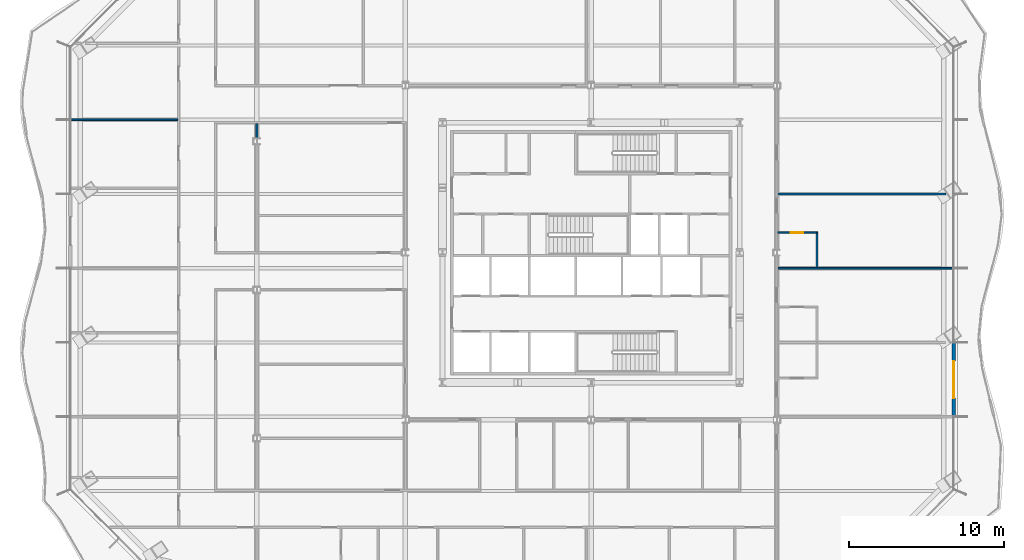
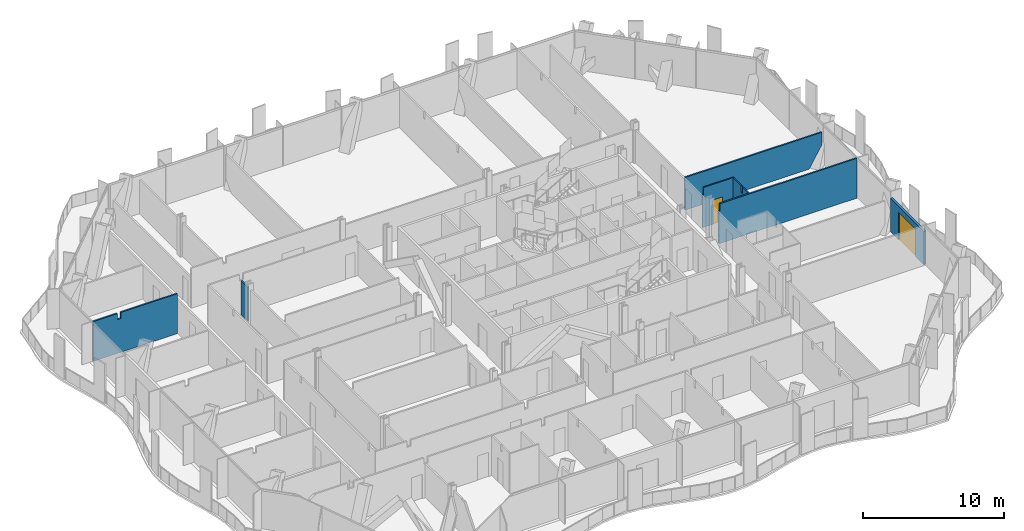
# One storey, part 10 of 19: 7 walls, 2 doors, 2 openings.
"""IFC4 building model written with IfcOpenShell, lengths in metres."""

from ifc_helpers import new_model, si_unit, direction, frame, frame_2d, origin, place, context, subcontext, project, spatial, polyline, rectangle, outline, extrude, material, layer, layer_set, type_object, element, fill, save


model = new_model("IFC4")

# Units and contexts
model_context = context("Model", 3, precision=1e-05, world=origin(), true_north=direction((0.0, 1.0)))
body_context = subcontext(model_context, "Body", "Model", "MODEL_VIEW")
ifc_project = project(units=[si_unit("LENGTHUNIT", "METRE"), si_unit("AREAUNIT", "SQUARE_METRE"), si_unit("VOLUMEUNIT", "CUBIC_METRE"), si_unit("PLANEANGLEUNIT", "RADIAN"), si_unit("MASSUNIT", "GRAM", prefix="KILO")], contexts=[model_context])

# Site, building, storey
site_placement = place(None, origin())
site = spatial("IfcSite", under=ifc_project, at=site_placement, CompositionType="ELEMENT")
building_placement = place(site_placement, origin())
building = spatial("IfcBuilding", under=site, at=building_placement, Name="Cairn Pilgrim Tower", CompositionType="ELEMENT")
storey_placement = place(building_placement, frame((0.0, 0.0, 97.800048828125)))
storey = spatial("IfcBuildingStorey", under=building, at=storey_placement, Name="L23", CompositionType="ELEMENT", Elevation=97.800048828125)

# Wall, opening, door
ifc_material_1 = material(Name="Bronze anodised aluminium insulated sandwich panel with mineral wool fill", Category="aluminium")
ifc_layer_1 = layer(ifc_material_1, 0.199951171875)
ifc_layer_set_1 = layer_set([ifc_layer_1], Name="BRONZE INFILL FRAME WALL 200")
wall_type_1 = type_object("IfcWallType", Name="BRONZE INFILL FRAME WALL 200", PredefinedType="NOTDEFINED", material=ifc_layer_set_1)
wall_1_placement = place(storey_placement, frame((30.636962890625, -8.1787109375, 0.0), z_axis=(0.0, 0.0, 1.0), x_axis=(0.0, 1.0, 0.0)))
wall_1 = element("IfcWall", 1, at=wall_1_placement, inside=storey, type_object=wall_type_1, Name="Bronze infill frame wall IW-E2", PredefinedType="NOTDEFINED", context=body_context, shape_type="SweptSolid", body=[
    extrude(rectangle(XDim=4.739990234375, YDim=0.199951171875, at=frame_2d((2.3701171875, 0.0))), origin(), (0.0, 0.0, 1.0), 2.89990234375),
])
opening_1_placement = place(wall_1_placement, frame((1.169677734375, 0.0, 0.0)))
opening_1 = element("IfcOpeningElement", 2, at=opening_1_placement, cuts=wall_1, Name="Opening 2324B", PredefinedType="OPENING", context=body_context, shape_type="SweptSolid", body=[
    extrude(rectangle(XDim=2.39990234375, YDim=2.39990234375, at=frame_2d((1.199951171875, 1.199951171875))), frame((0.0, 0.10986328125, 0.0), z_axis=(0.0, -1.0, 0.0), x_axis=(1.0, 0.0, 0.0)), (0.0, 0.0, 1.0), 0.219970703125),
])
ifc_material_2 = material(Name="Bronze anodised aluminium frame with tinted low-E glass", Category="aluminium")
door_type_1 = type_object("IfcDoorType", Name="BALCONY SLIDING DOOR 2400x2400", OperationType="DOUBLE_DOOR_SLIDING", PredefinedType="DOOR", material=ifc_material_2)
door_1_placement = place(opening_1_placement, origin())
door_1 = element("IfcDoor", 3, at=door_1_placement, inside=storey, type_object=door_type_1, Name="Balcony sliding door 2324B", OperationType="SINGLE_SWING_LEFT", OverallHeight=2.39990234375, OverallWidth=2.39990234375, PredefinedType="DOOR", context=body_context, shape_type="SweptSolid", body=[
    extrude(rectangle(XDim=2.39990234375, YDim=2.39990234375, at=frame_2d((1.199951171875, 1.199951171875))), frame((0.0, 0.02490234375, 0.0), z_axis=(0.0, -1.0, 0.0), x_axis=(1.0, 0.0, 0.0)), (0.0, 0.0, 1.0), 0.050048828125),
])
fill(opening_1, door_1)

# Wall
ifc_material_3 = material(Name="Gypsum partition")
ifc_layer_2 = layer(ifc_material_3, 0.10009765625)
ifc_layer_set_2 = layer_set([ifc_layer_2], Name="PARTITION 100 DRYWALL")
wall_type_2 = type_object("IfcWallType", Name="PARTITION 100 DRYWALL", PredefinedType="PARTITIONING", material=ifc_layer_set_2)
wall_2_placement = place(storey_placement, frame((21.800048828125, 1.45361328125, 0.0), z_axis=(0.0, 0.0, 1.0), x_axis=(0.0, 1.0, 0.0)))
element("IfcWall", 4, at=wall_2_placement, inside=storey, type_object=wall_type_2, Name="PARTITION W053", PredefinedType="PARTITIONING", context=body_context, shape_type="SweptSolid", body=[
    extrude(outline(polyline([(0.0, 0.0), (2.1875, 0.0), (2.1875, 3.449951171875), (1.051513671875, 3.449951171875), (1.049560546875, 2.8798828125), (0.841552734375, 2.8798828125), (0.839599609375, 3.449951171875), (0.0, 3.449951171875), (0.0, 0.0)])), frame((0.0, 0.050048828125, 0.0), z_axis=(0.0, -1.0, 0.0), x_axis=(1.0, 0.0, 0.0)), (0.0, 0.0, 1.0), 0.10009765625),
])

# Wall, opening, door
wall_3_placement = place(storey_placement, frame((19.262451171875, 3.69091796875, 0.0), z_axis=(0.0, 0.0, 1.0), x_axis=(1.0, 0.0, 0.0)))
wall_3 = element("IfcWall", 5, at=wall_3_placement, inside=storey, type_object=wall_type_2, Name="PARTITION W059", PredefinedType="PARTITIONING", context=body_context, shape_type="SweptSolid", body=[
    extrude(outline(polyline([(0.0, 0.0), (2.587646484375, 0.0), (2.58740234375, 3.449951171875), (0.08740234375, 3.449951171875), (0.08544921875, 2.829833984375), (0.0, 2.829833984375), (0.0, 0.0)])), frame((0.0, 0.050048828125, 0.0), z_axis=(0.0, -1.0, 0.0), x_axis=(1.0, 0.0, 0.0)), (0.0, 0.0, 1.0), 0.10009765625),
])
opening_2_placement = place(wall_3_placement, frame((0.83740234375, 0.0, 0.0)))
opening_2 = element("IfcOpeningElement", 6, at=opening_2_placement, cuts=wall_3, Name="Opening 2326E", PredefinedType="OPENING", context=body_context, shape_type="SweptSolid", body=[
    extrude(rectangle(XDim=0.800048828125, YDim=2.10009765625, at=frame_2d((0.39990234375, 1.050048828125))), frame((0.0, 0.06005859375, 0.0), z_axis=(0.0, -1.0, 0.0), x_axis=(1.0, 0.0, 0.0)), (0.0, 0.0, 1.0), 0.1201171875),
])
ifc_material_4 = material(Name="Timber door leaf", Category="wood")
door_type_2 = type_object("IfcDoorType", Name="DOOR 800x2100", OperationType="NOTDEFINED", PredefinedType="DOOR", material=ifc_material_4)
door_2_placement = place(opening_2_placement, frame((0.800048828125, 0.0, 0.0), z_axis=(0.0, 0.0, 1.0), x_axis=(-1.0, 0.0, 0.0)))
door_2 = element("IfcDoor", 7, at=door_2_placement, inside=storey, type_object=door_type_2, Name="DOOR 2326E", OperationType="SINGLE_SWING_LEFT", OverallHeight=2.10009765625, OverallWidth=0.800048828125, PredefinedType="DOOR", context=body_context, shape_type="SweptSolid", body=[
    extrude(rectangle(XDim=0.800048828125, YDim=2.10009765625, at=frame_2d((0.39990234375, 1.050048828125))), frame((0.0, 0.02490234375, 0.0), z_axis=(0.0, -1.0, 0.0), x_axis=(1.0, 0.0, 0.0)), (0.0, 0.0, 1.0), 0.050048828125),
])
fill(opening_2, door_2)

# Walls
ifc_layer_3 = layer(ifc_material_3, 0.125)
ifc_layer_set_3 = layer_set([ifc_layer_3], Name="PARTITION 125 DRYWALL EI 60")
wall_type_3 = type_object("IfcWallType", Name="PARTITION 125 DRYWALL EI 60", PredefinedType="PARTITIONING", material=ifc_layer_set_3)
wall_4_placement = place(storey_placement, frame((19.262451171875, 1.39111328125, 0.0), z_axis=(0.0, 0.0, 1.0), x_axis=(1.0, 0.0, 0.0)))
element("IfcWall", 8, at=wall_4_placement, inside=storey, type_object=wall_type_3, Name="PARTITION W052", PredefinedType="PARTITIONING", context=body_context, shape_type="SweptSolid", body=[
    extrude(outline(polyline([(0.0, 0.0), (11.314697265625, 0.0), (11.314697265625, 3.449951171875), (0.08740234375, 3.449951171875), (0.08544921875, 2.829833984375), (0.0, 2.829833984375), (0.0, 0.0)])), frame((0.0, 0.0625, 0.0), z_axis=(0.0, -1.0, 0.0), x_axis=(1.0, 0.0, 0.0)), (0.0, 0.0, 1.0), 0.125),
])
wall_5_placement = place(storey_placement, frame((19.262451171875, 6.19091796875, 0.0), z_axis=(0.0, 0.0, 1.0), x_axis=(1.0, 0.0, 0.0)))
element("IfcWall", 9, at=wall_5_placement, inside=storey, type_object=wall_type_3, Name="PARTITION W061", PredefinedType="PARTITIONING", context=body_context, shape_type="SweptSolid", body=[
    extrude(outline(polyline([(0.0, 0.0), (10.19287109375, 0.0), (10.67626953125, 0.862548828125), (11.199951171875, 1.724853515625), (11.199951171875, 2.58740234375), (11.199951171875, 2.829833984375), (0.0, 2.829833984375), (0.0, 2.58740234375), (0.0, 1.724853515625), (0.0, 0.862548828125), (0.0, 0.0)])), frame((0.0, 0.0625, 0.0), z_axis=(0.0, -1.0, 0.0), x_axis=(1.0, 0.0, 0.0)), (0.0, 0.0, 1.0), 0.125),
])
wall_6_placement = place(storey_placement, frame((-14.39990234375, 9.8125, 0.0), z_axis=(0.0, 0.0, 1.0), x_axis=(0.0, 1.0, 0.0)))
element("IfcWall", 10, at=wall_6_placement, inside=storey, type_object=wall_type_3, Name="PARTITION W064", PredefinedType="PARTITIONING", context=body_context, shape_type="SweptSolid", body=[
    extrude(rectangle(XDim=0.925048828125, YDim=0.125, at=frame_2d((0.46240234375, 0.0))), origin(), (0.0, 0.0, 1.0), 2.929931640625),
])
wall_7_placement = place(storey_placement, frame((-26.40283203125, 10.990966796875, 0.0), z_axis=(0.0, 0.0, 1.0), x_axis=(1.0, 0.0, 0.0)))
element("IfcWall", 11, at=wall_7_placement, inside=storey, type_object=wall_type_3, Name="PARTITION W066", PredefinedType="PARTITIONING", context=body_context, shape_type="SweptSolid", body=[
    extrude(outline(polyline([(0.0, 0.0), (6.87744140625, 0.0), (6.87744140625, 3.449951171875), (2.2529296875, 3.449951171875), (2.2509765625, 2.929931640625), (1.952880859375, 2.929931640625), (1.950927734375, 3.449951171875), (0.0, 3.449951171875), (0.0, 0.0)])), frame((0.0, 0.0625, 0.0), z_axis=(0.0, -1.0, 0.0), x_axis=(1.0, 0.0, 0.0)), (0.0, 0.0, 1.0), 0.125),
])

save(model, "model.ifc")
